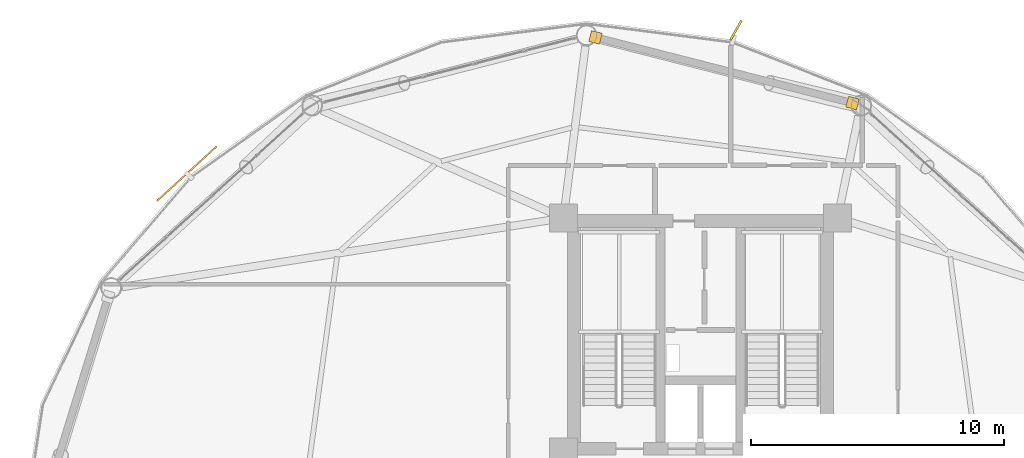
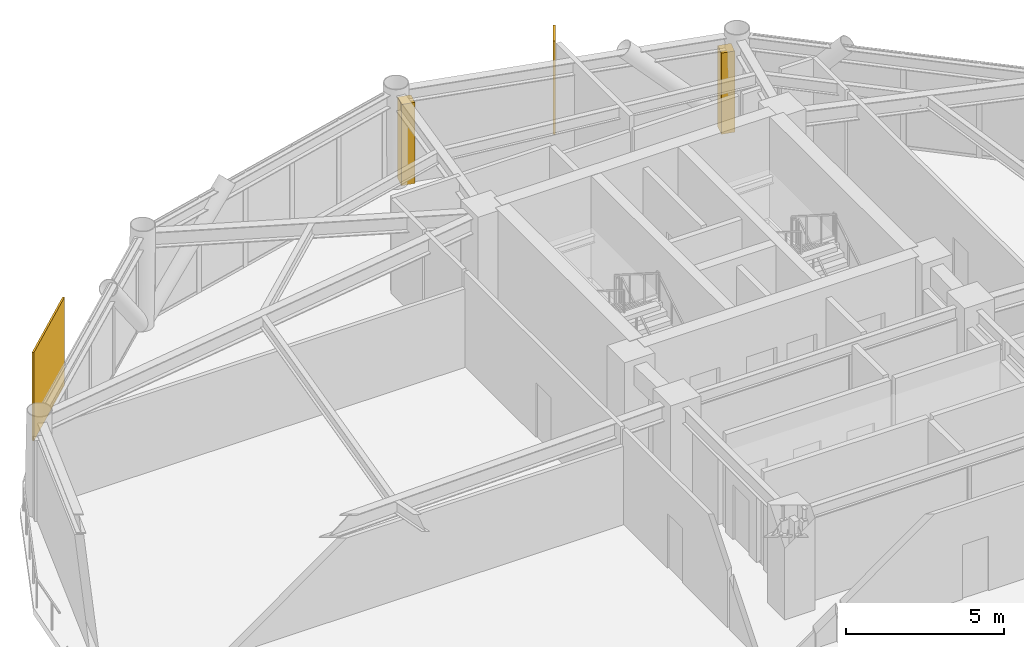
# One storey, part 26 of 26: 2 coverings, 2 shading devices.
"""IFC4 building model written with IfcOpenShell, lengths in metres."""

from ifc_helpers import new_model, si_unit, direction, frame, origin, origin_2d, place, context, subcontext, project, spatial, rectangle, extrude, source, transform, mapped, material, layer, layer_set, type_object, type_shapes, element, save


model = new_model("IFC4")

# Units and contexts
model_context = context("Model", 3, precision=1e-05, world=origin(), true_north=direction((0.0, 1.0)))
body_context = subcontext(model_context, "Body", "Model", "MODEL_VIEW")
ifc_project = project(units=[si_unit("LENGTHUNIT", "METRE"), si_unit("AREAUNIT", "SQUARE_METRE"), si_unit("VOLUMEUNIT", "CUBIC_METRE"), si_unit("PLANEANGLEUNIT", "RADIAN"), si_unit("MASSUNIT", "GRAM", prefix="KILO")], contexts=[model_context])

# Site, building, storey
site_placement = place(None, origin())
site = spatial("IfcSite", under=ifc_project, at=site_placement, CompositionType="ELEMENT")
building_placement = place(site_placement, origin())
building = spatial("IfcBuilding", under=site, at=building_placement, Name="Varnakorn Sky Granary", CompositionType="ELEMENT")
storey_placement = place(building_placement, frame((0.0, 0.0, 87.60009765625)))
storey = spatial("IfcBuildingStorey", under=building, at=storey_placement, Name="L21", CompositionType="ELEMENT", Elevation=87.60009765625)

# Shading devices
ifc_material = material(Name="Anodised Bronze Aluminium Alloy 6063-T6", Category="aluminium")
shading_device_type_1 = type_object("IfcShadingDeviceType", Name="SH-FIN-01", PredefinedType="USERDEFINED", material=ifc_material)
shared_shape_1 = source(origin(), body_context, "Body", "SweptSolid", [
    extrude(rectangle(XDim=0.0849609375, YDim=0.8798828125, at=origin_2d()), origin(), (0.0, 0.0, 1.0), 3.60009765625),
])
type_shapes(shading_device_type_1, [shared_shape_1])
shading_device_1_placement = place(storey_placement, frame((4.401611328125, 20.044189453125, -0.0400390625), z_axis=(0.0, 0.0, 1.0), x_axis=(-0.867302831128, 0.4977808746, 0.0)))
element("IfcShadingDevice", 1, at=shading_device_1_placement, inside=storey, type_object=shading_device_type_1, Name="Bronze Solar-Tracking Vertical Blade FIN L21-03", ObjectType="FIN", PredefinedType="USERDEFINED", context=body_context, shape_type="MappedRepresentation", body=[
    mapped(shared_shape_1, transform((0.0, 0.0, 0.0), x_axis=(1.0, 0.0, 0.0), y_axis=(0.0, 1.0, 0.0), z_axis=(0.0, 0.0, 1.0), scale=1.0)),
])
shading_device_type_2 = type_object("IfcShadingDeviceType", Name="SH-SCR-01", PredefinedType="USERDEFINED", material=ifc_material)
shared_shape_2 = source(origin(), body_context, "Body", "SweptSolid", [
    extrude(rectangle(XDim=3.199951171875, YDim=0.06494140625, at=origin_2d()), origin(), (0.0, 0.0, 1.0), 3.39990234375),
])
type_shapes(shading_device_type_2, [shared_shape_2])
shading_device_2_placement = place(storey_placement, frame((-17.3046875, 14.374267578125, -0.0400390625), z_axis=(0.0, 0.0, 1.0), x_axis=(-0.737706677836, -0.675121364997, 0.0)))
element("IfcShadingDevice", 2, at=shading_device_2_placement, inside=storey, type_object=shading_device_type_2, Name="Perforated Bronze Solar Screen Panel SCREEN L21-05", ObjectType="SCREEN", PredefinedType="USERDEFINED", context=body_context, shape_type="MappedRepresentation", body=[
    mapped(shared_shape_2, transform((0.0, 0.0, 0.0), x_axis=(1.0, 0.0, 0.0), y_axis=(0.0, 1.0, 0.0), z_axis=(0.0, 0.0, 1.0), scale=1.0)),
])

# Coverings
ifc_layer = layer(ifc_material, 0.050048828125, Name="Anodised Bronze Aluminium Alloy 6063-T6")
ifc_layer_set = layer_set([ifc_layer], Name="Anodised Bronze Aluminium Alloy 6063-T6")
covering_type = type_object("IfcCoveringType", Name="CV-CLAD-50", PredefinedType="CLADDING", material=ifc_layer_set)
shared_shape_3 = source(origin(), body_context, "Body", "SweptSolid", [
    extrude(rectangle(XDim=0.43994140625, YDim=0.43994140625, at=origin_2d()), origin(), (0.0, 0.0, 1.0), 3.1298828125),
])
type_shapes(covering_type, [shared_shape_3])
for number, where, z_axis, x_axis, name in (
    (3, (-1.14990234375, 19.760498046875, -0.02001953125), (0.0, 0.0, 1.0), (0.968843057437, -0.247675453076, 0.0), "Bronze Corner Pilaster Closure L21-P03-A"),
    (4, (9.00732421875, 17.163330078125, -0.02001953125), (0.0, 0.0, 1.0), (0.968843057437, -0.247675453076, 0.0), "Bronze Corner Pilaster Closure L21-P03-B"),
):
    element("IfcCovering", number, at=place(storey_placement, frame(where, z_axis=z_axis, x_axis=x_axis)), inside=storey, type_object=covering_type, Name=name, PredefinedType="CLADDING", context=body_context, shape_type="MappedRepresentation", body=[
        mapped(shared_shape_3, transform((0.0, 0.0, 0.0), x_axis=(1.0, 0.0, 0.0), y_axis=(0.0, 1.0, 0.0), z_axis=(0.0, 0.0, 1.0), scale=1.0)),
    ])

save(model, "model.ifc")
